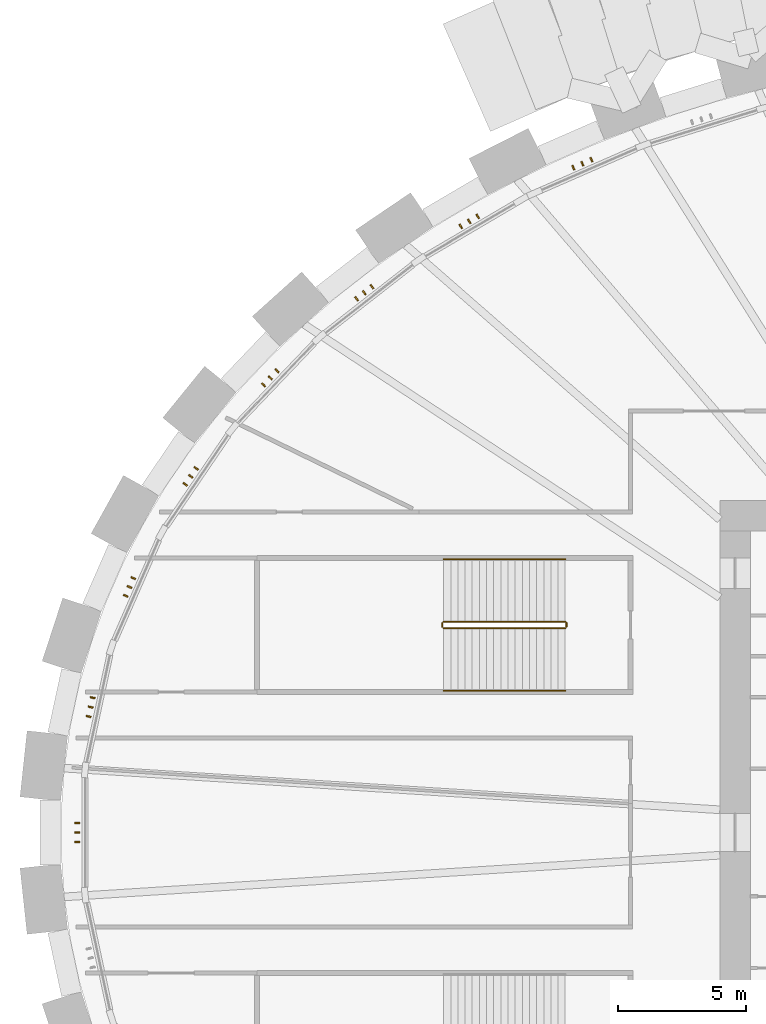
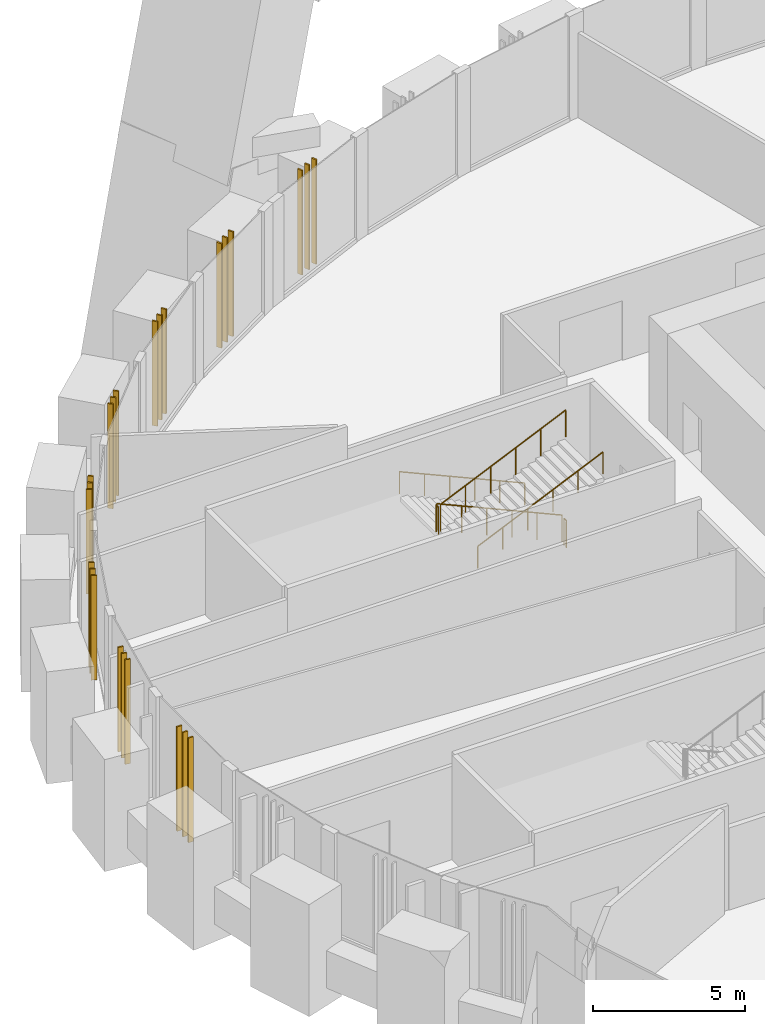
# One storey, part 18 of 23: 24 shading devices, 6 railings.
"""IFC4 building model written with IfcOpenShell, lengths in metres."""

from ifc_helpers import new_model, si_unit, direction, frame, origin, origin_2d, place, context, subcontext, project, spatial, rectangle, circle, extrude, source, transform, mapped, material, material_profile, profile_set, type_object, element, save


model = new_model("IFC4")

# Units and contexts
model_context = context("Model", 3, precision=1e-05, world=origin(), true_north=direction((0.0, 1.0)))
body_context = subcontext(model_context, "Body", "Model", "MODEL_VIEW")
ifc_project = project(units=[si_unit("LENGTHUNIT", "METRE"), si_unit("AREAUNIT", "SQUARE_METRE"), si_unit("VOLUMEUNIT", "CUBIC_METRE"), si_unit("PLANEANGLEUNIT", "RADIAN"), si_unit("MASSUNIT", "GRAM", prefix="KILO")], contexts=[model_context])

# Site, building, storey
site_placement = place(None, origin())
site = spatial("IfcSite", under=ifc_project, at=site_placement, CompositionType="ELEMENT")
building_placement = place(site_placement, origin())
building = spatial("IfcBuilding", under=site, at=building_placement, Name="Embergate Tower", CompositionType="ELEMENT")
storey_placement = place(building_placement, frame((0.0, 0.0, 29.0)))
storey = spatial("IfcBuildingStorey", under=building, at=storey_placement, Name="L03", CompositionType="ELEMENT", Elevation=29.0)

# Shading devices
ifc_material_1 = material(Name="Terracotta, extruded and glazed", Category="masonry")
ifc_material_profile = material_profile(ifc_material_1, rectangle(XDim=0.18994140625, YDim=0.06005859375, at=origin_2d()), Name="TC 190x60")
ifc_profile_set = profile_set([ifc_material_profile], Name="Terracotta, extruded and glazed")
shading_device_type = type_object("IfcShadingDeviceType", Name="Terracotta fin", PredefinedType="USERDEFINED", material=ifc_profile_set)
shared_shape_1 = source(origin(), body_context, "Body", "SweptSolid", [
    extrude(rectangle(XDim=0.18994140625, YDim=0.06005859375, at=origin_2d()), origin(), (0.0, 0.0, 1.0), 4.199951171875),
])
for number, where, z_axis, x_axis, name in (
    (1, (-19.023681640625, 26.33544921875, 0.0), (0.0, 0.0, 1.0), (0.400648090553, -0.916232016214, 0.0), "Fin 15.1"),
    (2, (-19.378173828125, 26.180419921875, 0.0), (0.0, 0.0, 1.0), (0.400648090553, -0.916232016214, 0.0), "Fin 15.2"),
    (3, (-19.732421875, 26.025634765625, 0.0), (0.0, 0.0, 1.0), (0.400648090553, -0.916232016214, 0.0), "Fin 15.3"),
    (4, (-23.474365234375, 24.1162109375, 0.0), (0.0, 0.0, 1.0), (0.506828384679, -0.862046975799, 0.0), "Fin 16.1"),
    (5, (-23.806640625, 23.920654296875, 0.0), (0.0, 0.0, 1.0), (0.506828384679, -0.862046975799, 0.0), "Fin 16.2"),
    (6, (-24.138916015625, 23.725341796875, 0.0), (0.0, 0.0, 1.0), (0.506828384679, -0.862046975799, 0.0), "Fin 16.3"),
    (7, (-27.612548828125, 21.36376953125, 0.0), (0.0, 0.0, 1.0), (0.615274931259, -0.788312602312, 0.0), "Fin 17.1"),
    (8, (-27.915283203125, 21.127685546875, 0.0), (0.0, 0.0, 1.0), (0.615274931259, -0.788312602312, 0.0), "Fin 17.2"),
    (9, (-28.2177734375, 20.891357421875, 0.0), (0.0, 0.0, 1.0), (0.615274931259, -0.788312602312, 0.0), "Fin 17.3"),
    (10, (-31.330322265625, 18.07275390625, 0.0), (0.0, 0.0, 1.0), (0.723690239735, -0.690124942972, 0.0), "Fin 18.1"),
    (11, (-31.593994140625, 17.79638671875, 0.0), (0.0, 0.0, 1.0), (0.723690239735, -0.690124942972, 0.0), "Fin 18.2"),
    (12, (-31.857421875, 17.52001953125, 0.0), (0.0, 0.0, 1.0), (0.723690239735, -0.690124942972, 0.0), "Fin 18.3"),
    (13, (-34.4951171875, 14.2548828125, 0.0), (0.0, 0.0, 1.0), (0.826910820018, -0.562333082556, 0.0), "Fin 19.1"),
    (14, (-34.70849609375, 13.94091796875, 0.0), (0.0, 0.0, 1.0), (0.826910820018, -0.562333082556, 0.0), "Fin 19.2"),
    (15, (-34.921875, 13.627197265625, 0.0), (0.0, 0.0, 1.0), (0.826910820018, -0.562333082556, 0.0), "Fin 19.3"),
    (16, (-36.95263671875, 9.956298828125, 0.0), (0.0, 0.0, 1.0), (0.915795833921, -0.401644109346, 0.0), "Fin 20.1"),
    (17, (-37.10400390625, 9.61083984375, 0.0), (0.0, 0.0, 1.0), (0.915795833921, -0.401644109346, 0.0), "Fin 20.2"),
    (18, (-37.255615234375, 9.265380859375, 0.0), (0.0, 0.0, 1.0), (0.915795833921, -0.401644109346, 0.0), "Fin 20.3"),
    (19, (-38.54541015625, 5.27587890625, 0.0), (0.0, 0.0, 1.0), (0.97761683237, -0.21039327239, 0.0), "Fin 21.1"),
    (20, (-38.624267578125, 4.9091796875, 0.0), (0.0, 0.0, 1.0), (0.97761683237, -0.21039327239, 0.0), "Fin 21.2"),
    (21, (-38.703369140625, 4.542236328125, 0.0), (0.0, 0.0, 1.0), (0.97761683237, -0.21039327239, 0.0), "Fin 21.3"),
    (22, (-39.146728515625, 0.37451171875, 0.0), (0.0, 0.0, 1.0), (1.0, 0.0, 0.0), "Fin 22.1"),
    (23, (-39.146728515625, 0.0, 0.0), (0.0, 0.0, 1.0), (1.0, 0.0, 0.0), "Fin 22.2"),
    (24, (-39.146728515625, -0.37451171875, 0.0), (0.0, 0.0, 1.0), (1.0, 0.0, 0.0), "Fin 22.3"),
):
    element("IfcShadingDevice", number, at=place(storey_placement, frame(where, z_axis=z_axis, x_axis=x_axis)), inside=storey, type_object=shading_device_type, Name=name, ObjectType="FIN", PredefinedType="USERDEFINED", context=body_context, shape_type="MappedRepresentation", body=[
        mapped(shared_shape_1, transform((0.0, 0.0, 0.0))),
    ])

# Railings
ifc_material_2 = material(Name="Steel", Category="steel")
railing_type_1 = type_object("IfcRailingType", Name="Podium stair guard 1100", PredefinedType="GUARDRAIL", material=ifc_material_2)
shared_shape_2 = source(origin(), body_context, "Body", "SweptSolid", [
    extrude(circle(Radius=0.02392578125, at=origin_2d()), frame((0.0, 0.0, 1.076171875), z_axis=(0.913138193756, 0.0, 0.40765014302), x_axis=(0.0, 1.0, 0.0)), (0.0, 0.0, 1.0), 5.212890625),
    extrude(circle(Radius=0.02099609375, at=origin_2d()), origin(), (0.0, 0.0, 1.0), 1.052001953125),
    extrude(circle(Radius=0.02099609375, at=origin_2d()), frame((0.951904296875, 0.0, 0.425048828125)), (0.0, 0.0, 1.0), 1.052001953125),
    extrude(circle(Radius=0.02099609375, at=origin_2d()), frame((1.904052734375, 0.0, 0.85009765625)), (0.0, 0.0, 1.0), 1.052001953125),
    extrude(circle(Radius=0.02099609375, at=origin_2d()), frame((2.85595703125, 0.0, 1.27490234375)), (0.0, 0.0, 1.0), 1.052001953125),
    extrude(circle(Radius=0.02099609375, at=origin_2d()), frame((3.80810546875, 0.0, 1.699951171875)), (0.0, 0.0, 1.0), 1.052001953125),
    extrude(circle(Radius=0.02099609375, at=origin_2d()), frame((4.760009765625, 0.0, 2.125)), (0.0, 0.0, 1.0), 1.052001953125),
])
railing_1_placement = place(storey_placement, frame((-24.81005859375, 8.0, 2.375)))
element("IfcRailing", 25, at=railing_1_placement, inside=storey, type_object=railing_type_1, Name="L03 P3 stair guard 3", PredefinedType="GUARDRAIL", context=body_context, shape_type="MappedRepresentation", body=[
    mapped(shared_shape_2, transform((0.0, 0.0, 0.0))),
])
shared_shape_3 = source(origin(), body_context, "Body", "SweptSolid", [
    extrude(circle(Radius=0.02392578125, at=origin_2d()), frame((0.0, 0.0, 1.076171875), z_axis=(-0.913138193756, 0.0, 0.40765014302), x_axis=(0.0, -1.0, 0.0)), (0.0, 0.0, 1.0), 5.212890625),
    extrude(circle(Radius=0.02099609375, at=origin_2d()), origin(), (0.0, 0.0, 1.0), 1.052001953125),
    extrude(circle(Radius=0.02099609375, at=origin_2d()), frame((-0.951904296875, 0.0, 0.425048828125)), (0.0, 0.0, 1.0), 1.052001953125),
    extrude(circle(Radius=0.02099609375, at=origin_2d()), frame((-1.904052734375, 0.0, 0.85009765625)), (0.0, 0.0, 1.0), 1.052001953125),
    extrude(circle(Radius=0.02099609375, at=origin_2d()), frame((-2.85595703125, 0.0, 1.27490234375)), (0.0, 0.0, 1.0), 1.052001953125),
    extrude(circle(Radius=0.02099609375, at=origin_2d()), frame((-3.80810546875, 0.0, 1.699951171875)), (0.0, 0.0, 1.0), 1.052001953125),
    extrude(circle(Radius=0.02099609375, at=origin_2d()), frame((-4.760009765625, 0.0, 2.125)), (0.0, 0.0, 1.0), 1.052001953125),
])
railing_2_placement = place(storey_placement, frame((-20.050048828125, 8.25, 0.125)))
element("IfcRailing", 26, at=railing_2_placement, inside=storey, type_object=railing_type_1, Name="L03 P3 stair guard 1", PredefinedType="GUARDRAIL", context=body_context, shape_type="MappedRepresentation", body=[
    mapped(shared_shape_3, transform((0.0, 0.0, 0.0))),
])
railing_type_2 = type_object("IfcRailingType", Name="Podium stair handrail 900", PredefinedType="HANDRAIL", material=ifc_material_2)
shared_shape_4 = source(origin(), body_context, "Body", "SweptSolid", [
    extrude(circle(Radius=0.02392578125, at=origin_2d()), frame((0.0, 0.0, 0.8759765625), z_axis=(0.913138193756, 0.0, 0.40765014302), x_axis=(0.0, 1.0, 0.0)), (0.0, 0.0, 1.0), 5.212890625),
    extrude(circle(Radius=0.02099609375, at=origin_2d()), origin(), (0.0, 0.0, 1.0), 0.851806640625),
    extrude(circle(Radius=0.02099609375, at=origin_2d()), frame((0.951904296875, 0.0, 0.425048828125)), (0.0, 0.0, 1.0), 0.851806640625),
    extrude(circle(Radius=0.02099609375, at=origin_2d()), frame((1.904052734375, 0.0, 0.85009765625)), (0.0, 0.0, 1.0), 0.851806640625),
    extrude(circle(Radius=0.02099609375, at=origin_2d()), frame((2.85595703125, 0.0, 1.27490234375)), (0.0, 0.0, 1.0), 0.851806640625),
    extrude(circle(Radius=0.02099609375, at=origin_2d()), frame((3.80810546875, 0.0, 1.699951171875)), (0.0, 0.0, 1.0), 0.851806640625),
    extrude(circle(Radius=0.02099609375, at=origin_2d()), frame((4.760009765625, 0.0, 2.125)), (0.0, 0.0, 1.0), 0.851806640625),
])
railing_3_placement = place(storey_placement, frame((-24.81005859375, 5.550048828125, 2.375)))
element("IfcRailing", 27, at=railing_3_placement, inside=storey, type_object=railing_type_2, Name="L03 P3 stair handrail 2", PredefinedType="HANDRAIL", context=body_context, shape_type="MappedRepresentation", body=[
    mapped(shared_shape_4, transform((0.0, 0.0, 0.0))),
])
shared_shape_5 = source(origin(), body_context, "Body", "SweptSolid", [
    extrude(circle(Radius=0.02392578125, at=origin_2d()), frame((0.0, 0.0, 0.8759765625), z_axis=(-0.913138193756, 0.0, 0.40765014302), x_axis=(0.0, -1.0, 0.0)), (0.0, 0.0, 1.0), 5.212890625),
    extrude(circle(Radius=0.02099609375, at=origin_2d()), origin(), (0.0, 0.0, 1.0), 0.851806640625),
    extrude(circle(Radius=0.02099609375, at=origin_2d()), frame((-0.951904296875, 0.0, 0.425048828125)), (0.0, 0.0, 1.0), 0.851806640625),
    extrude(circle(Radius=0.02099609375, at=origin_2d()), frame((-1.904052734375, 0.0, 0.85009765625)), (0.0, 0.0, 1.0), 0.851806640625),
    extrude(circle(Radius=0.02099609375, at=origin_2d()), frame((-2.85595703125, 0.0, 1.27490234375)), (0.0, 0.0, 1.0), 0.851806640625),
    extrude(circle(Radius=0.02099609375, at=origin_2d()), frame((-3.80810546875, 0.0, 1.699951171875)), (0.0, 0.0, 1.0), 0.851806640625),
    extrude(circle(Radius=0.02099609375, at=origin_2d()), frame((-4.760009765625, 0.0, 2.125)), (0.0, 0.0, 1.0), 0.851806640625),
])
railing_4_placement = place(storey_placement, frame((-20.050048828125, 10.699951171875, 0.125)))
element("IfcRailing", 28, at=railing_4_placement, inside=storey, type_object=railing_type_2, Name="L03 P3 stair handrail 1", PredefinedType="HANDRAIL", context=body_context, shape_type="MappedRepresentation", body=[
    mapped(shared_shape_5, transform((0.0, 0.0, 0.0))),
])
shared_shape_6 = source(origin(), body_context, "Body", "SweptSolid", [
    extrude(circle(Radius=0.02392578125, at=origin_2d()), frame((0.0, 0.0, 1.076171875), z_axis=(0.0, -1.0, 0.0), x_axis=(1.0, 0.0, 0.0)), (0.0, 0.0, 1.0), 0.14990234375),
    extrude(circle(Radius=0.02099609375, at=origin_2d()), origin(), (0.0, 0.0, 1.0), 1.052001953125),
    extrude(circle(Radius=0.02099609375, at=origin_2d()), frame((0.0, -0.14990234375, 0.0)), (0.0, 0.0, 1.0), 1.052001953125),
])
for number, where, name in (
    (29, (-24.860107421875, 8.199951171875, 2.25), "L03 P3 stair guard 2"),
    (30, (-20.0, 8.199951171875, 0.0), "L03 P3 stair guard 4"),
):
    element("IfcRailing", number, at=place(storey_placement, frame(where)), inside=storey, type_object=railing_type_1, Name=name, PredefinedType="GUARDRAIL", context=body_context, shape_type="MappedRepresentation", body=[
        mapped(shared_shape_6, transform((0.0, 0.0, 0.0))),
    ])

save(model, "model.ifc")
